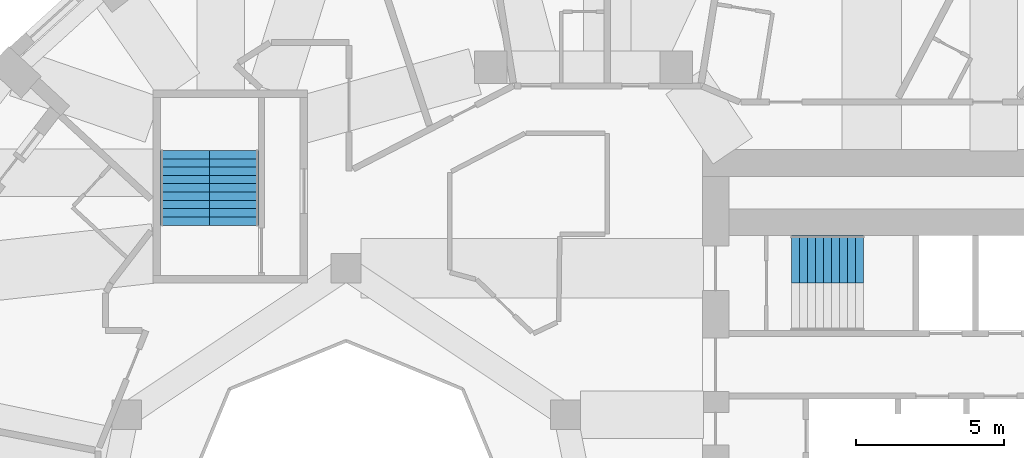
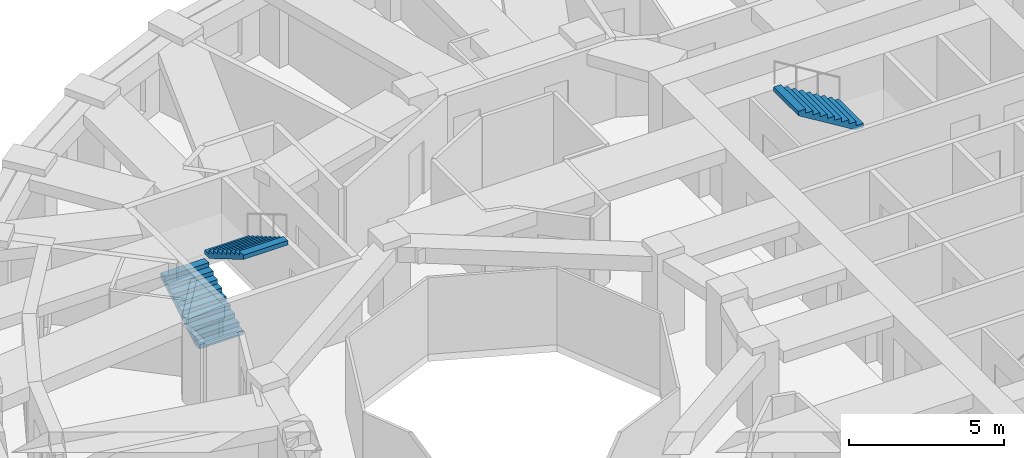
# One storey, part 10 of 13: 3 stair flights, 2 elements without a shape of their own.
"""IFC4 building model written with IfcOpenShell, lengths in metres."""

from ifc_helpers import new_model, si_unit, direction, frame, origin, place, context, subcontext, project, spatial, polyline, outline, extrude, material, type_object, element, aggregate, save


model = new_model("IFC4")

# Units and contexts
model_context = context("Model", 3, precision=1e-05, world=origin(), true_north=direction((0.0, 1.0)))
body_context = subcontext(model_context, "Body", "Model", "MODEL_VIEW")
ifc_project = project(units=[si_unit("LENGTHUNIT", "METRE"), si_unit("AREAUNIT", "SQUARE_METRE"), si_unit("VOLUMEUNIT", "CUBIC_METRE"), si_unit("PLANEANGLEUNIT", "RADIAN"), si_unit("MASSUNIT", "GRAM", prefix="KILO")], contexts=[model_context])

# Site, building, storey
site_placement = place(None, origin())
site = spatial("IfcSite", under=ifc_project, at=site_placement, CompositionType="ELEMENT")
building_placement = place(site_placement, origin())
building = spatial("IfcBuilding", under=site, at=building_placement, Name="Taillehof Tower", CompositionType="ELEMENT")
storey_placement = place(building_placement, frame((0.0, 0.0, 115.300048828125)))
storey = spatial("IfcBuildingStorey", under=building, at=storey_placement, Name="L32", CompositionType="ELEMENT", Elevation=115.300048828125)

# Stair, stair flight
ifc_material_1 = material(Name="Concrete C40/50", Category="concrete")
stair_type = type_object("IfcStairType", Name="Exit stair half-turn", PredefinedType="HALF_TURN_STAIR", material=ifc_material_1)
stair_1_placement = place(storey_placement, origin())
stair_1 = element("IfcStair", 1, at=stair_1_placement, inside=storey, type_object=stair_type, Name="Exit stair S1", PredefinedType="HALF_TURN_STAIR")
ifc_material_2 = material(Name="Concrete C40/50", Category="concrete")
stair_flight_type_1 = type_object("IfcStairFlightType", Name="Stair flight 1600 riser 165.0 going 270", PredefinedType="STRAIGHT", material=ifc_material_2)
stair_flight_1_placement = place(storey_placement, frame((9.429931640625, 8.300048828125, 1.64990234375), z_axis=(0.0, 0.0, 1.0), x_axis=(-1.0, 0.0, 0.0)))
stair_flight_1 = element("IfcStairFlight", 2, at=stair_flight_1_placement, type_object=stair_flight_type_1, Name="S1 flight 2", NumberOfRisers=10, NumberOfTreads=9, PredefinedType="STRAIGHT", RiserHeight=0.165, TreadLength=0.27, context=body_context, shape_type="SweptSolid", body=[
    extrude(outline(polyline([(0.0, 0.0), (0.0, 0.00537109375), (0.0, 0.0107421875), (0.0, 0.015869140625), (0.0, 0.021240234375), (0.0, 0.026611328125), (0.0, 0.031982421875), (0.0, 0.037353515625), (0.0, 0.04248046875), (0.0, 0.0478515625), (0.0, 0.05322265625), (0.0, 0.05859375), (0.0, 0.06396484375), (0.0, 0.069091796875), (0.0, 0.074462890625), (0.0, 0.079833984375), (0.0, 0.085205078125), (0.0, 0.090576171875), (0.0, 0.095703125), (0.0, 0.10107421875), (0.0, 0.1064453125), (0.0, 0.11181640625), (0.0, 0.1171875), (0.0, 0.122314453125), (0.0, 0.127685546875), (0.0, 0.133056640625), (0.0, 0.138427734375), (0.0, 0.143798828125), (0.0, 0.14892578125), (0.0, 0.154296875), (0.0, 0.15966796875), (0.0, 0.1650390625), (0.27001953125, 0.1650390625), (0.27001953125, 0.330078125), (0.5400390625, 0.330078125), (0.5400390625, 0.4951171875), (0.81005859375, 0.4951171875), (0.81005859375, 0.659912109375), (1.080078125, 0.659912109375), (1.080078125, 0.824951171875), (1.35009765625, 0.824951171875), (1.35009765625, 0.989990234375), (1.6201171875, 0.989990234375), (1.6201171875, 1.155029296875), (1.889892578125, 1.155029296875), (1.889892578125, 1.320068359375), (2.159912109375, 1.320068359375), (2.159912109375, 1.485107421875), (2.429931640625, 1.485107421875), (2.429931640625, 1.479248046875), (2.429931640625, 1.4736328125), (2.429931640625, 1.468017578125), (2.429931640625, 1.46240234375), (2.429931640625, 1.45654296875), (2.429931640625, 1.450927734375), (2.429931640625, 1.4453125), (2.429931640625, 1.439697265625), (2.429931640625, 1.43408203125), (2.429931640625, 1.42822265625), (2.429931640625, 1.422607421875), (2.429931640625, 1.4169921875), (2.429931640625, 1.411376953125), (2.429931640625, 1.40576171875), (2.429931640625, 1.39990234375), (2.429931640625, 1.394287109375), (2.429931640625, 1.388671875), (2.429931640625, 1.383056640625), (2.429931640625, 1.37744140625), (2.429931640625, 1.37158203125), (2.429931640625, 1.365966796875), (2.429931640625, 1.3603515625), (2.429931640625, 1.354736328125), (2.429931640625, 1.348876953125), (2.429931640625, 1.34326171875), (2.429931640625, 1.337646484375), (2.429931640625, 1.33203125), (2.429931640625, 1.326416015625), (2.429931640625, 1.320556640625), (2.429931640625, 1.31494140625), (2.429931640625, 1.309326171875), (0.287353515625, 0.0), (0.0, 0.0)])), frame((0.0, 0.800048828125, 0.0), z_axis=(0.0, -1.0, 0.0), x_axis=(1.0, 0.0, 0.0)), (0.0, 0.0, 1.0), 1.6),
])
aggregate(stair_1, [stair_flight_1])

# Stair, stair flights
stair_2_placement = place(storey_placement, origin())
stair_2 = element("IfcStair", 3, at=stair_2_placement, inside=storey, type_object=stair_type, Name="Exit stair S3", PredefinedType="HALF_TURN_STAIR")
ifc_material_3 = material(Name="Concrete C40/50", Category="concrete")
stair_flight_type_2 = type_object("IfcStairFlightType", Name="Stair flight 1650 riser 165.0 going 280", PredefinedType="STRAIGHT", material=ifc_material_3)
stair_flight_2_placement = place(storey_placement, frame((-13.425048828125, 9.449951171875, 0.0), z_axis=(0.0, 0.0, 1.0), x_axis=(0.0, 1.0, 0.0)))
stair_flight_2 = element("IfcStairFlight", 4, at=stair_flight_2_placement, type_object=stair_flight_type_2, Name="S3 flight 1", NumberOfRisers=10, NumberOfTreads=9, PredefinedType="STRAIGHT", RiserHeight=0.165, TreadLength=0.28, context=body_context, shape_type="SweptSolid", body=[
    extrude(outline(polyline([(0.0, 0.0), (0.0, 0.00537109375), (0.0, 0.0107421875), (0.0, 0.015869140625), (0.0, 0.021240234375), (0.0, 0.026611328125), (0.0, 0.031982421875), (0.0, 0.037353515625), (0.0, 0.04248046875), (0.0, 0.0478515625), (0.0, 0.05322265625), (0.0, 0.05859375), (0.0, 0.06396484375), (0.0, 0.069091796875), (0.0, 0.074462890625), (0.0, 0.079833984375), (0.0, 0.085205078125), (0.0, 0.090576171875), (0.0, 0.095703125), (0.0, 0.10107421875), (0.0, 0.1064453125), (0.0, 0.11181640625), (0.0, 0.1171875), (0.0, 0.122314453125), (0.0, 0.127685546875), (0.0, 0.133056640625), (0.0, 0.138427734375), (0.0, 0.143798828125), (0.0, 0.14892578125), (0.0, 0.154296875), (0.0, 0.15966796875), (0.0, 0.1650390625), (0.280029296875, 0.1650390625), (0.280029296875, 0.330078125), (0.56005859375, 0.330078125), (0.56005859375, 0.4951171875), (0.840087890625, 0.4951171875), (0.840087890625, 0.659912109375), (1.1201171875, 0.659912109375), (1.1201171875, 0.824951171875), (1.39990234375, 0.824951171875), (1.39990234375, 0.989990234375), (1.679931640625, 0.989990234375), (1.679931640625, 1.155029296875), (1.9599609375, 1.155029296875), (1.9599609375, 1.320068359375), (2.239990234375, 1.320068359375), (2.239990234375, 1.485107421875), (2.52001953125, 1.485107421875), (2.52001953125, 1.4794921875), (2.52001953125, 1.473876953125), (2.52001953125, 1.46826171875), (2.52001953125, 1.462646484375), (2.52001953125, 1.45703125), (2.52001953125, 1.451416015625), (2.52001953125, 1.44580078125), (2.52001953125, 1.440185546875), (2.52001953125, 1.4345703125), (2.52001953125, 1.428955078125), (2.52001953125, 1.42333984375), (2.52001953125, 1.417724609375), (2.52001953125, 1.412109375), (2.52001953125, 1.406494140625), (2.52001953125, 1.40087890625), (2.52001953125, 1.395263671875), (2.52001953125, 1.3896484375), (2.52001953125, 1.384033203125), (2.52001953125, 1.37841796875), (2.52001953125, 1.372802734375), (2.52001953125, 1.3671875), (2.52001953125, 1.361572265625), (2.52001953125, 1.35595703125), (2.52001953125, 1.350341796875), (2.52001953125, 1.3447265625), (2.52001953125, 1.339111328125), (2.52001953125, 1.33349609375), (2.52001953125, 1.327880859375), (2.52001953125, 1.322265625), (2.52001953125, 1.316650390625), (2.52001953125, 1.31103515625), (0.295166015625, 0.0), (0.0, 0.0)])), frame((0.0, 0.824951171875, 0.0), z_axis=(0.0, -1.0, 0.0), x_axis=(1.0, 0.0, 0.0)), (0.0, 0.0, 1.0), 1.65),
])
stair_flight_3_placement = place(storey_placement, frame((-11.77490234375, 11.969970703125, 1.64990234375), z_axis=(0.0, 0.0, 1.0), x_axis=(0.0, -1.0, 0.0)))
stair_flight_3 = element("IfcStairFlight", 5, at=stair_flight_3_placement, type_object=stair_flight_type_2, Name="S3 flight 2", NumberOfRisers=10, NumberOfTreads=9, PredefinedType="STRAIGHT", RiserHeight=0.165, TreadLength=0.28, context=body_context, shape_type="SweptSolid", body=[
    extrude(outline(polyline([(0.0, 0.0), (0.0, 0.00537109375), (0.0, 0.0107421875), (0.0, 0.015869140625), (0.0, 0.021240234375), (0.0, 0.026611328125), (0.0, 0.031982421875), (0.0, 0.037353515625), (0.0, 0.04248046875), (0.0, 0.0478515625), (0.0, 0.05322265625), (0.0, 0.05859375), (0.0, 0.06396484375), (0.0, 0.069091796875), (0.0, 0.074462890625), (0.0, 0.079833984375), (0.0, 0.085205078125), (0.0, 0.090576171875), (0.0, 0.095703125), (0.0, 0.10107421875), (0.0, 0.1064453125), (0.0, 0.11181640625), (0.0, 0.1171875), (0.0, 0.122314453125), (0.0, 0.127685546875), (0.0, 0.133056640625), (0.0, 0.138427734375), (0.0, 0.143798828125), (0.0, 0.14892578125), (0.0, 0.154296875), (0.0, 0.15966796875), (0.0, 0.1650390625), (0.280029296875, 0.1650390625), (0.280029296875, 0.330078125), (0.56005859375, 0.330078125), (0.56005859375, 0.4951171875), (0.840087890625, 0.4951171875), (0.840087890625, 0.659912109375), (1.1201171875, 0.659912109375), (1.1201171875, 0.824951171875), (1.39990234375, 0.824951171875), (1.39990234375, 0.989990234375), (1.679931640625, 0.989990234375), (1.679931640625, 1.155029296875), (1.9599609375, 1.155029296875), (1.9599609375, 1.320068359375), (2.239990234375, 1.320068359375), (2.239990234375, 1.485107421875), (2.52001953125, 1.485107421875), (2.52001953125, 1.4794921875), (2.52001953125, 1.473876953125), (2.52001953125, 1.46826171875), (2.52001953125, 1.462646484375), (2.52001953125, 1.45703125), (2.52001953125, 1.451416015625), (2.52001953125, 1.44580078125), (2.52001953125, 1.440185546875), (2.52001953125, 1.4345703125), (2.52001953125, 1.428955078125), (2.52001953125, 1.42333984375), (2.52001953125, 1.417724609375), (2.52001953125, 1.412109375), (2.52001953125, 1.406494140625), (2.52001953125, 1.40087890625), (2.52001953125, 1.395263671875), (2.52001953125, 1.3896484375), (2.52001953125, 1.384033203125), (2.52001953125, 1.37841796875), (2.52001953125, 1.372802734375), (2.52001953125, 1.3671875), (2.52001953125, 1.361572265625), (2.52001953125, 1.35595703125), (2.52001953125, 1.350341796875), (2.52001953125, 1.3447265625), (2.52001953125, 1.339111328125), (2.52001953125, 1.33349609375), (2.52001953125, 1.327880859375), (2.52001953125, 1.322265625), (2.52001953125, 1.316650390625), (2.52001953125, 1.31103515625), (0.295166015625, 0.0), (0.0, 0.0)])), frame((0.0, 0.824951171875, 0.0), z_axis=(0.0, -1.0, 0.0), x_axis=(1.0, 0.0, 0.0)), (0.0, 0.0, 1.0), 1.65),
])
aggregate(stair_2, [stair_flight_2, stair_flight_3])

save(model, "model.ifc")
